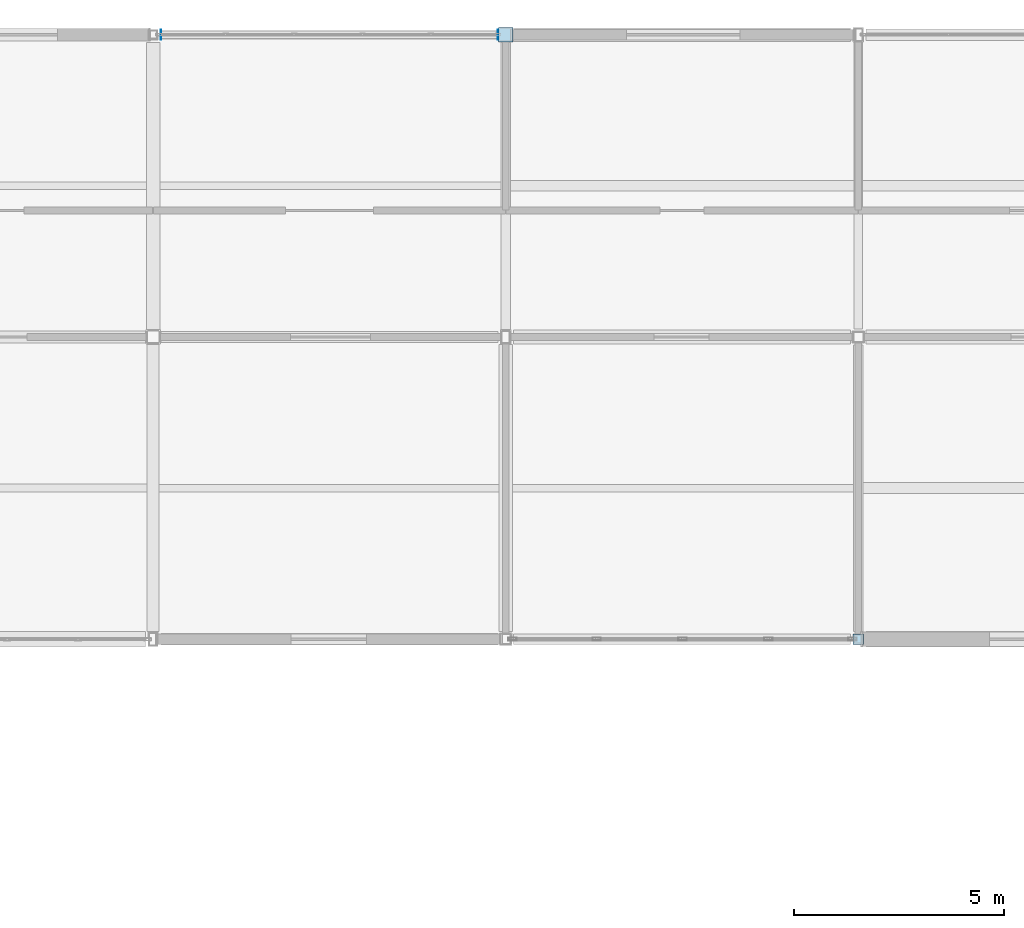
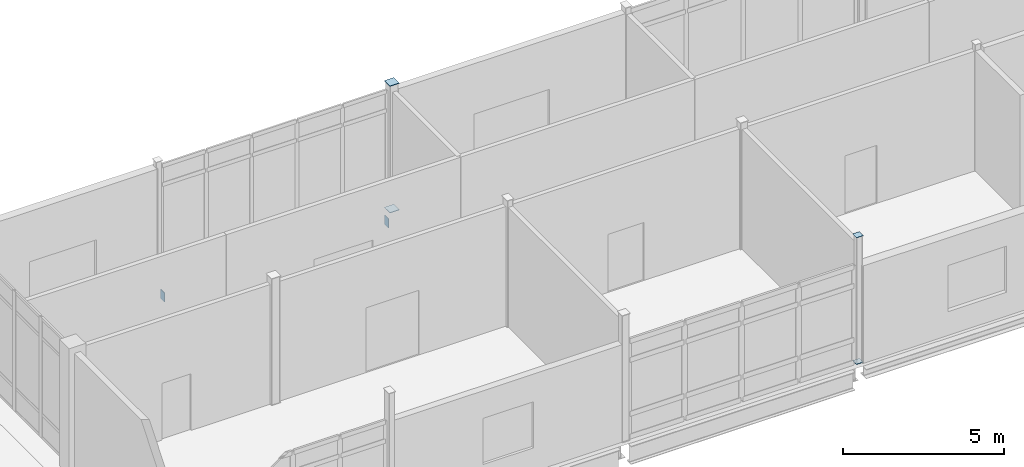
# One storey, part 121 of 153: 6 plates.
"""IFC4 building model written with IfcOpenShell, lengths in metres."""

import ifcopenshell
import ifcopenshell.guid

model = None  # the IFC model being written
_history = None  # IfcOwnerHistory: only IFC2X3 demands one
_inside = {}  # id of a spatial element -> (the spatial element, [elements in it])
_under = {}  # id of a project, library or spatial element -> (it, [spatial elements below it])
_declared = {}  # id of a project -> (the project, [libraries it declares])
_typed = {}  # id of a type object -> (the type object, [elements of that type])
_made_of = {}  # id of a material, layer set ... -> (it, [elements and type objects made of it])


def new_model(schema):
    """Start an empty IFC model of exactly this schema.

    Asked for "IFC4X3", IfcOpenShell would pick the latest addendum, in which some entities
    have other attributes; the version numbers below select the first issue.
    IFC2X3 requires an IfcOwnerHistory on every rooted entity: one is made here for all.
    """
    global model, _history
    if schema == "IFC4X3":
        model = ifcopenshell.file(schema_version=(4, 3, 0, 0))
    else:
        model = ifcopenshell.file(schema=schema)
    _inside.clear()
    _under.clear()
    _declared.clear()
    _typed.clear()
    _made_of.clear()
    _history = None
    if model.schema == "IFC2X3":
        org = make("IfcOrganization", Name="unknown")
        user = make(
            "IfcPersonAndOrganization",
            ThePerson=make("IfcPerson", FamilyName="unknown"),
            TheOrganization=org,
        )
        app = make(
            "IfcApplication",
            ApplicationDeveloper=org,
            Version="unknown",
            ApplicationFullName="unknown",
            ApplicationIdentifier="unknown",
        )
        _history = make(
            "IfcOwnerHistory",
            OwningUser=user,
            OwningApplication=app,
            ChangeAction="ADDED",
            CreationDate=0,
        )
    return model


def make(cls, **values):
    """One entity of the class cls with the attributes given. An attribute that is None is left unset."""
    return model.create_entity(
        cls, **{name: value for name, value in values.items() if value is not None}
    )


def rooted(cls, **values):
    """An entity with a GlobalId (a new one), such as an element, a storey or a relation."""
    return make(cls, GlobalId=ifcopenshell.guid.new(), OwnerHistory=_history, **values)


def si_unit(unit_type, name, prefix=None):
    """IfcSIUnit, for example si_unit("LENGTHUNIT", "METRE", prefix="MILLI")."""
    return make("IfcSIUnit", UnitType=unit_type, Prefix=prefix, Name=name)


def assignment(units):
    """IfcUnitAssignment: the units of a project."""
    return None if units is None else make("IfcUnitAssignment", Units=units)


def point(xyz):
    """IfcCartesianPoint."""
    return None if xyz is None else make("IfcCartesianPoint", Coordinates=xyz)


def direction(xyz):
    """IfcDirection."""
    return None if xyz is None else make("IfcDirection", DirectionRatios=xyz)


def frame(location, z_axis=None, x_axis=None):
    """IfcAxis2Placement3D, a coordinate frame: its origin and axes. An axis left out is left unset."""
    return make(
        "IfcAxis2Placement3D",
        Location=point(location),
        Axis=direction(z_axis),
        RefDirection=direction(x_axis),
    )


def frame_2d(location, x_axis=None):
    """IfcAxis2Placement2D, a coordinate frame in the plane: its origin and x axis."""
    return make(
        "IfcAxis2Placement2D", Location=point(location), RefDirection=direction(x_axis)
    )


def origin():
    """The frame at (0, 0, 0) with its axes left unset."""
    return frame((0.0, 0.0, 0.0))


def origin_2d():
    """The frame at (0, 0) in the plane with its x axis left unset."""
    return frame_2d((0.0, 0.0))


def place(relative_to, where):
    """IfcLocalPlacement: puts the frame where relative to a parent placement (None: the world)."""
    return make(
        "IfcLocalPlacement", PlacementRelTo=relative_to, RelativePlacement=where
    )


def context(
    kind, dimensions, precision=None, world=None, true_north=None, identifier=None
):
    """IfcGeometricRepresentationContext, for example the 3D "Model" context."""
    return make(
        "IfcGeometricRepresentationContext",
        ContextIdentifier=identifier,
        ContextType=kind,
        CoordinateSpaceDimension=dimensions,
        Precision=precision,
        WorldCoordinateSystem=world,
        TrueNorth=true_north,
    )


def subcontext(parent, identifier, kind, view, scale=None):
    """IfcGeometricRepresentationSubContext, for example "Body" below "Model"."""
    return make(
        "IfcGeometricRepresentationSubContext",
        ContextIdentifier=identifier,
        ContextType=kind,
        ParentContext=parent,
        TargetScale=scale,
        TargetView=view,
    )


def project(units=None, contexts=None):
    """IfcProject with its units and contexts."""
    return rooted(
        "IfcProject",
        Name="project",
        RepresentationContexts=contexts,
        UnitsInContext=assignment(units),
    )


def spatial(cls, under=None, at=None, **own):
    """A site, building, storey or space (cls), placed at a placement, below another one or the project."""
    s = rooted(cls, ObjectPlacement=at, **own)
    if under is not None:
        _under.setdefault(under.id(), (under, []))[1].append(s)
    return s


def profile(cls, at=None, kind="AREA", **sizes):
    """A parametric profile (cls). Its sizes go by their IFC names, for example OverallWidth=200.0."""
    return make(cls, ProfileType=kind, Position=at, **sizes)


def rectangle(**sizes):
    """IfcRectangleProfileDef."""
    return profile("IfcRectangleProfileDef", **sizes)


def extrude(swept, where, along, depth):
    """IfcExtrudedAreaSolid: the profile swept, set in the frame where, extruded along a direction by depth."""
    return make(
        "IfcExtrudedAreaSolid",
        SweptArea=swept,
        Position=where,
        ExtrudedDirection=direction(along),
        Depth=depth,
    )


def shape(context_of_items, identifier, shape_type, items):
    """IfcShapeRepresentation: the items that make up one representation, for example the "Body"."""
    return make(
        "IfcShapeRepresentation",
        ContextOfItems=context_of_items,
        RepresentationIdentifier=identifier,
        RepresentationType=shape_type,
        Items=items,
    )


def material(Name=None, Category=None):
    """IfcMaterial."""
    return make("IfcMaterial", Name=Name, Category=Category)


def layer(
    of_material, thickness, ventilated=None, Name=None, Category=None, Priority=None
):
    """IfcMaterialLayer: one layer of a wall or slab, of a material (None: an air gap)."""
    return make(
        "IfcMaterialLayer",
        Material=of_material,
        LayerThickness=thickness,
        IsVentilated=ventilated,
        Name=Name,
        Category=Category,
        Priority=Priority,
    )


def layer_set(layers, Name=None):
    """IfcMaterialLayerSet."""
    return make("IfcMaterialLayerSet", MaterialLayers=layers, LayerSetName=Name)


def made_of(thing, what):
    """Note that an element or type object is made of a material, layer set ...; save() writes the relation."""
    if what is not None:
        _made_of.setdefault(what.id(), (what, []))[1].append(thing)
    return thing


def type_object(cls, material=None, **own):
    """A type object (cls), such as IfcWallType, which elements share."""
    return made_of(rooted(cls, **own), material)


def element(
    cls,
    number,
    at=None,
    inside=None,
    cuts=None,
    type_object=None,
    material=None,
    context=None,
    identifier="Body",
    shape_type=None,
    held_by="IfcProductDefinitionShape",
    body=None,
    shapes=None,
    **own,
):
    """One element of the class cls, such as IfcWall. Its Tag is "e" and its number.

    at: its placement. inside: the storey or other place that contains it. cuts: it is an
    opening in that element (IfcRelVoidsElement). A single representation is given by context,
    identifier, shape_type and body (its items); several are given by shapes. held_by: the class
    of the entity that holds the representations. save() writes the other relations.
    """
    e = rooted(cls, Tag="e%d" % number, ObjectPlacement=at, **own)
    if body is not None:
        shapes = [shape(context, identifier, shape_type, body)]
    if shapes is not None:
        e.Representation = make(held_by, Representations=shapes)
    if inside is not None:
        _inside.setdefault(inside.id(), (inside, []))[1].append(e)
    if cuts is not None:
        rooted(
            "IfcRelVoidsElement", RelatingBuildingElement=cuts, RelatedOpeningElement=e
        )
    if type_object is not None:
        _typed.setdefault(type_object.id(), (type_object, []))[1].append(e)
    return made_of(e, material)


def aggregate(whole, parts):
    """IfcRelAggregates: a whole, such as a stair, and the parts it consists of."""
    return rooted("IfcRelAggregates", RelatingObject=whole, RelatedObjects=parts)


def save(model, path):
    """Write the relations noted so far, then the file.

    IfcRelAggregates (storeys below a building ...), IfcRelContainedInSpatialStructure (elements
    in a storey), IfcRelDefinesByType, IfcRelAssociatesMaterial and IfcRelDeclares: one each for
    every whole, place, type object, material and project.
    """
    for whole, parts in _under.values():
        aggregate(whole, parts)
    for where, things in _inside.values():
        rooted(
            "IfcRelContainedInSpatialStructure",
            RelatedElements=things,
            RelatingStructure=where,
        )
    for kind, things in _typed.values():
        rooted("IfcRelDefinesByType", RelatedObjects=things, RelatingType=kind)
    for what, things in _made_of.values():
        rooted("IfcRelAssociatesMaterial", RelatedObjects=things, RelatingMaterial=what)
    for by, libraries in _declared.values():
        rooted("IfcRelDeclares", RelatingContext=by, RelatedDefinitions=libraries)
    model.write(path)


model = new_model("IFC4")

# Units and contexts
model_context = context("Model", 3, precision=1e-05, world=origin(), true_north=direction((0.0, 1.0)))
body_context = subcontext(model_context, "Body", "Model", "MODEL_VIEW")
ifc_project = project(units=[si_unit("LENGTHUNIT", "METRE"), si_unit("AREAUNIT", "SQUARE_METRE"), si_unit("VOLUMEUNIT", "CUBIC_METRE"), si_unit("PLANEANGLEUNIT", "RADIAN"), si_unit("MASSUNIT", "GRAM", prefix="KILO")], contexts=[model_context])

# Site, building, storey
site_placement = place(None, origin())
site = spatial("IfcSite", under=ifc_project, at=site_placement, CompositionType="ELEMENT")
building_placement = place(site_placement, origin())
building = spatial("IfcBuilding", under=site, at=building_placement, Name="Calvrana Isthmian Art Gallery", CompositionType="ELEMENT")
storey_placement = place(building_placement, frame((0.0, 0.0, 10.199951171875)))
storey = spatial("IfcBuildingStorey", under=building, at=storey_placement, Name="L02", CompositionType="ELEMENT", Elevation=10.199951171875)

# Plates
ifc_material = material(Name="Steel ASTM A572 Gr 50", Category="steel")
ifc_layer = layer(ifc_material, 0.01611328125, Name="Steel ASTM A572 Gr 50")
ifc_layer_set = layer_set([ifc_layer], Name="Steel ASTM A572 Gr 50")
plate_type = type_object("IfcPlateType", Name="PL-CAP-16", PredefinedType="SHEET", material=ifc_layer_set)
for number, where, z_axis, x_axis, name in (
    (1, (30.0, 112.800048828125, -0.008056640625), (0.0, 0.0, 1.0), (1.0, 0.0, 0.0), "Hollow section end cap plate 063"),
    (2, (30.0, 112.800048828125, 4.7919921875), (0.0, 0.0, 1.0), (1.0, 0.0, 0.0), "Hollow section end cap plate 064"),
):
    element("IfcPlate", number, at=place(storey_placement, frame(where, z_axis=z_axis, x_axis=x_axis)), inside=storey, type_object=plate_type, Name=name, PredefinedType="SHEET", context=body_context, shape_type="SweptSolid", body=[
        extrude(rectangle(XDim=0.3447265625, YDim=0.3447265625, at=origin_2d()), origin(), (0.0, 0.0, 1.0), 0.01611328125),
    ])
for number, where, z_axis, x_axis, name in (
    (3, (38.39990234375, 98.39990234375, -0.008056640625), (0.0, 0.0, 1.0), (1.0, 0.0, 0.0), "Hollow section end cap plate 079"),
    (4, (38.39990234375, 98.39990234375, 4.7919921875), (0.0, 0.0, 1.0), (1.0, 0.0, 0.0), "Hollow section end cap plate 080"),
):
    element("IfcPlate", number, at=place(storey_placement, frame(where, z_axis=z_axis, x_axis=x_axis)), inside=storey, type_object=plate_type, Name=name, PredefinedType="SHEET", context=body_context, shape_type="SweptSolid", body=[
        extrude(rectangle(XDim=0.2431640625, YDim=0.2431640625, at=origin_2d()), origin(), (0.0, 0.0, 1.0), 0.01611328125),
    ])
for number, where, z_axis, x_axis, name in (
    (5, (21.78662109375, 112.800048828125, -0.589599609375), (0.0, 0.0, 1.0), (1.0, 0.0, 0.0), "Hollow section end cap plate 465"),
    (6, (29.814453125, 112.800048828125, -0.589599609375), (0.0, 0.0, 1.0), (1.0, 0.0, 0.0), "Hollow section end cap plate 466"),
):
    element("IfcPlate", number, at=place(storey_placement, frame(where, z_axis=z_axis, x_axis=x_axis)), inside=storey, type_object=plate_type, Name=name, PredefinedType="SHEET", context=body_context, shape_type="SweptSolid", body=[
        extrude(rectangle(XDim=0.01611328125, YDim=0.2431640625, at=origin_2d()), origin(), (0.0, 0.0, 1.0), 0.3447265625),
    ])

save(model, "model.ifc")
